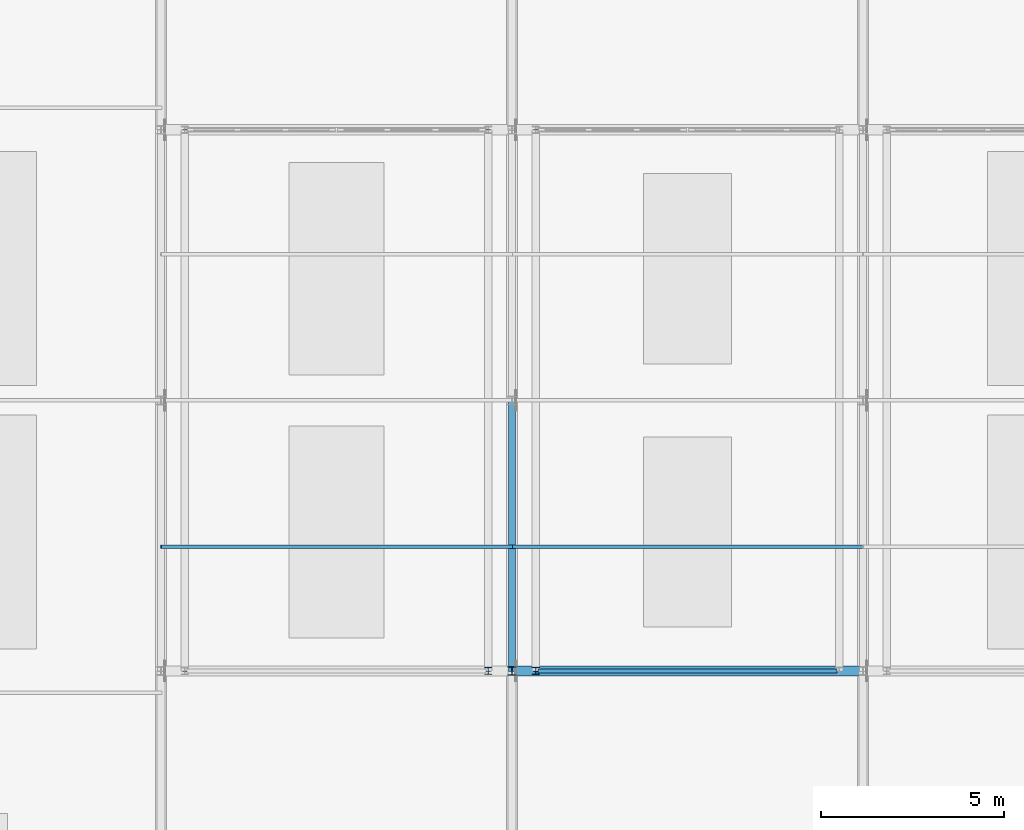
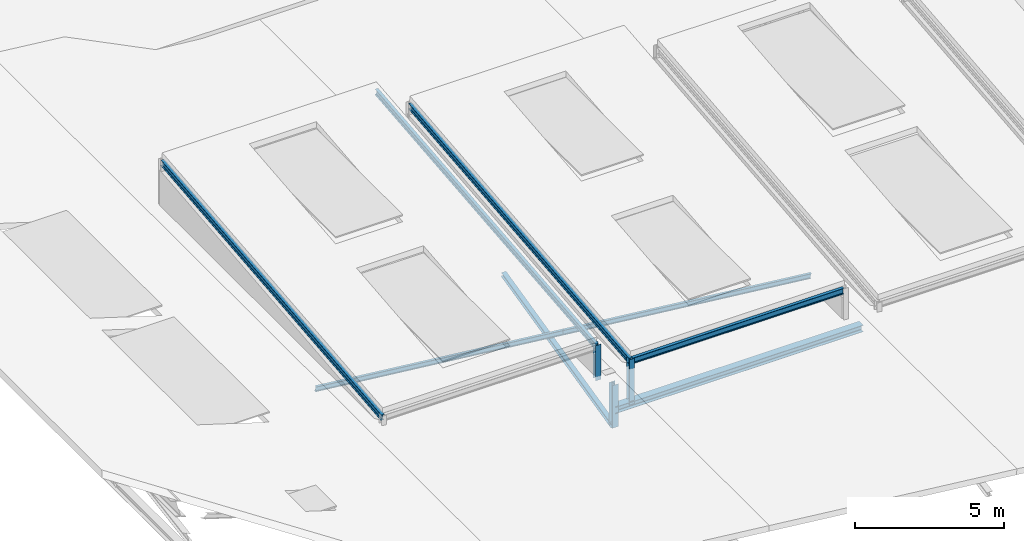
# One storey, part 3 of 30: 6 members, 5 beams.
"""IFC4 building model written with IfcOpenShell, lengths in metres."""

from ifc_helpers import new_model, si_unit, direction, frame, origin, origin_2d, place, context, subcontext, project, spatial, i_section, extrude, material, material_profile, profile_set, type_object, element, save


model = new_model("IFC4")

# Units and contexts
model_context = context("Model", 3, precision=1e-05, world=origin(), true_north=direction((0.0, 1.0)))
body_context = subcontext(model_context, "Body", "Model", "MODEL_VIEW")
ifc_project = project(units=[si_unit("LENGTHUNIT", "METRE"), si_unit("AREAUNIT", "SQUARE_METRE"), si_unit("VOLUMEUNIT", "CUBIC_METRE"), si_unit("PLANEANGLEUNIT", "RADIAN"), si_unit("MASSUNIT", "GRAM", prefix="KILO")], contexts=[model_context])

# Site, building, storey
site_placement = place(None, origin())
site = spatial("IfcSite", under=ifc_project, at=site_placement, CompositionType="ELEMENT")
building_placement = place(site_placement, origin())
building = spatial("IfcBuilding", under=site, at=building_placement, Name="Alderhovde Museum", CompositionType="ELEMENT")
storey_placement = place(building_placement, frame((0.0, 0.0, 30.699951171875)))
storey = spatial("IfcBuildingStorey", under=building, at=storey_placement, Name="RF", CompositionType="ELEMENT", Elevation=30.699951171875)

# Beams
ifc_material_1 = material(Name="Steel S355J2", Category="steel")
ifc_material_profile_1 = material_profile(ifc_material_1, i_section(OverallWidth=0.280029296875, OverallDepth=0.27001953125, WebThickness=0.008056640625, FlangeThickness=0.012939453125, FilletRadius=0.02392578125, at=origin_2d()), Name="HEA 280")
ifc_profile_set_1 = profile_set([ifc_material_profile_1], Name="Steel S355J2")
beam_type_1 = type_object("IfcBeamType", Name="BM-HEA280", PredefinedType="BEAM", material=ifc_profile_set_1)
beam_1_placement = place(storey_placement, frame((28.800048828125, 56.60009765625, -3.8466796875), z_axis=(1.0, 0.0, 0.0), x_axis=(0.0, 1.0, 0.0)))
element("IfcBeam", 1, at=beam_1_placement, inside=storey, type_object=beam_type_1, Name="Sawtooth Monitor Stringer Bay 3-S", PredefinedType="BEAM", context=body_context, shape_type="SweptSolid", body=[
    extrude(i_section(OverallWidth=0.280029296875, OverallDepth=0.27001953125, WebThickness=0.008056640625, FlangeThickness=0.012939453125, FilletRadius=0.02392578125, at=origin_2d()), origin(), (0.0, 0.0, 1.0), 9.599853515625),
])
ifc_material_2 = material(Name="Steel S355J2", Category="steel")
ifc_material_profile_2 = material_profile(ifc_material_2, i_section(OverallWidth=0.1201171875, OverallDepth=0.239990234375, WebThickness=0.006103515625, FlangeThickness=0.009765625, FilletRadius=0.014892578125, at=origin_2d()), Name="IPE 240")
ifc_profile_set_2 = profile_set([ifc_material_profile_2], Name="Steel S355J2")
beam_type_2 = type_object("IfcBeamType", Name="BM-IPE240", PredefinedType="BEAM", material=ifc_profile_set_2)
for number, where, z_axis, x_axis, name in (
    (2, (19.85009765625, 56.60009765625, -1.079833984375), (0.0, 0.99503719021, 0.099503719021), (-1.0, 0.0, 0.0), "Sawtooth Monitor Wedge Rafter Bay 2-W"),
    (3, (28.14990234375, 56.60009765625, -1.079833984375), (0.0, 0.99503719021, 0.099503719021), (-1.0, 0.0, 0.0), "Sawtooth Monitor Wedge Rafter Bay 2-E"),
):
    element("IfcBeam", number, at=place(storey_placement, frame(where, z_axis=z_axis, x_axis=x_axis)), inside=storey, type_object=beam_type_2, Name=name, PredefinedType="BEAM", context=body_context, shape_type="SweptSolid", body=[
        extrude(i_section(OverallWidth=0.1201171875, OverallDepth=0.239990234375, WebThickness=0.006103515625, FlangeThickness=0.009765625, FilletRadius=0.014892578125, at=origin_2d()), origin(), (0.0, 0.0, 1.0), 14.87353515625),
    ])
beam_2_placement = place(storey_placement, frame((29.510009765625, 56.60009765625, -2.1181640625), z_axis=(1.0, 0.0, 0.0), x_axis=(0.0, 1.0, 0.0)))
element("IfcBeam", 4, at=beam_2_placement, inside=storey, type_object=beam_type_2, Name="Sawtooth Monitor Wedge Rafter Bay 3-S", PredefinedType="BEAM", context=body_context, shape_type="SweptSolid", body=[
    extrude(i_section(OverallWidth=0.1201171875, OverallDepth=0.239990234375, WebThickness=0.006103515625, FlangeThickness=0.009765625, FilletRadius=0.014892578125, at=origin_2d()), origin(), (0.0, 0.0, 1.0), 8.179931640625),
])
beam_3_placement = place(storey_placement, frame((29.449951171875, 56.60009765625, -2.1181640625), z_axis=(0.0, 0.99503719021, 0.099503719021), x_axis=(-1.0, 0.0, 0.0)))
element("IfcBeam", 5, at=beam_3_placement, inside=storey, type_object=beam_type_2, Name="Sawtooth Monitor Wedge Rafter Bay 3-W", PredefinedType="BEAM", context=body_context, shape_type="SweptSolid", body=[
    extrude(i_section(OverallWidth=0.1201171875, OverallDepth=0.239990234375, WebThickness=0.006103515625, FlangeThickness=0.009765625, FilletRadius=0.014892578125, at=origin_2d()), origin(), (0.0, 0.0, 1.0), 14.87353515625),
])

# Members
ifc_material_3 = material(Name="Steel S355J2", Category="steel")
ifc_material_profile_3 = material_profile(ifc_material_3, i_section(OverallWidth=0.10009765625, OverallDepth=0.199951171875, WebThickness=0.005615234375, FlangeThickness=0.008544921875, FilletRadius=0.011962890625, at=origin_2d()), Name="IPE 200")
ifc_profile_set_3 = profile_set([ifc_material_profile_3], Name="Steel S355J2")
member_type_1 = type_object("IfcMemberType", Name="PRL-IPE200", PredefinedType="PURLIN", material=ifc_profile_set_3)
member_1_placement = place(storey_placement, frame((19.199951171875, 60.0, -1.739990234375), z_axis=(0.994201715794, 0.0, -0.107531150432), x_axis=(0.0, 1.0, 0.0)))
element("IfcMember", 6, at=member_1_placement, inside=storey, type_object=member_type_1, Name="Folded Wing Roof Purlin Bay 2 Y=60", PredefinedType="PURLIN", context=body_context, shape_type="SweptSolid", body=[
    extrude(i_section(OverallWidth=0.10009765625, OverallDepth=0.199951171875, WebThickness=0.005615234375, FlangeThickness=0.008544921875, FilletRadius=0.011962890625, at=origin_2d()), origin(), (0.0, 0.0, 1.0), 9.656005859375),
])
member_2_placement = place(storey_placement, frame((28.800048828125, 60.0, -2.7783203125), z_axis=(0.99420142343, 0.0, -0.107533853509), x_axis=(0.0, 1.0, 0.0)))
element("IfcMember", 7, at=member_2_placement, inside=storey, type_object=member_type_1, Name="Folded Wing Roof Purlin Bay 3 Y=60", PredefinedType="PURLIN", context=body_context, shape_type="SweptSolid", body=[
    extrude(i_section(OverallWidth=0.10009765625, OverallDepth=0.199951171875, WebThickness=0.005615234375, FlangeThickness=0.008544921875, FilletRadius=0.011962890625, at=origin_2d()), origin(), (0.0, 0.0, 1.0), 9.65576171875),
])
ifc_material_4 = material(Name="Steel S355J2", Category="steel")
ifc_material_profile_4 = material_profile(ifc_material_4, i_section(OverallWidth=0.179931640625, OverallDepth=0.1708984375, WebThickness=0.006103515625, FlangeThickness=0.009521484375, FilletRadius=0.014892578125, at=origin_2d()), Name="HEA 180")
ifc_profile_set_4 = profile_set([ifc_material_profile_4], Name="Steel S355J2")
member_type_2 = type_object("IfcMemberType", Name="TR-DG-HEA180", PredefinedType="RAFTER", material=ifc_profile_set_4)
member_3_placement = place(storey_placement, frame((28.800048828125, 56.60009765625, -4.558349609375), z_axis=(0.0, 0.973157163281, 0.230141555473), x_axis=(-1.0, 0.0, 0.0)))
element("IfcMember", 8, at=member_3_placement, inside=storey, type_object=member_type_2, Name="Sawtooth Roof Truss X=28.8 Web Diagonal 2", PredefinedType="RAFTER", context=body_context, shape_type="SweptSolid", body=[
    extrude(i_section(OverallWidth=0.179931640625, OverallDepth=0.1708984375, WebThickness=0.006103515625, FlangeThickness=0.009521484375, FilletRadius=0.014892578125, at=origin_2d()), origin(), (0.0, 0.0, 1.0), 7.60400390625),
])
ifc_material_5 = material(Name="Steel S355J2", Category="steel")
ifc_material_profile_5 = material_profile(ifc_material_5, i_section(OverallWidth=0.199951171875, OverallDepth=0.18994140625, WebThickness=0.006591796875, FlangeThickness=0.010009765625, FilletRadius=0.01806640625, at=origin_2d()), Name="HEA 200")
ifc_profile_set_5 = profile_set([ifc_material_profile_5], Name="Steel S355J2")
member_type_3 = type_object("IfcMemberType", Name="TR-PS-HEA200", PredefinedType="POST", material=ifc_profile_set_5)
member_4_placement = place(storey_placement, frame((28.14990234375, 56.60009765625, -2.39990234375), z_axis=(0.0, 0.0, 1.0), x_axis=(1.0, 0.0, 0.0)))
element("IfcMember", 9, at=member_4_placement, inside=storey, type_object=member_type_3, Name="Sawtooth Monitor Post Bay 2-2", PredefinedType="POST", context=body_context, shape_type="SweptSolid", body=[
    extrude(i_section(OverallWidth=0.199951171875, OverallDepth=0.18994140625, WebThickness=0.006591796875, FlangeThickness=0.010009765625, FilletRadius=0.01806640625, at=origin_2d()), origin(), (0.0, 0.0, 1.0), 1.43994140625),
])
member_5_placement = place(storey_placement, frame((29.449951171875, 56.60009765625, -3.8466796875), z_axis=(0.0, 0.0, 1.0), x_axis=(1.0, 0.0, 0.0)))
element("IfcMember", 10, at=member_5_placement, inside=storey, type_object=member_type_3, Name="Sawtooth Monitor Post Bay 3-1", PredefinedType="POST", context=body_context, shape_type="SweptSolid", body=[
    extrude(i_section(OverallWidth=0.199951171875, OverallDepth=0.18994140625, WebThickness=0.006591796875, FlangeThickness=0.010009765625, FilletRadius=0.01806640625, at=origin_2d()), origin(), (0.0, 0.0, 1.0), 1.848388671875),
])
ifc_material_6 = material(Name="Steel S355J2", Category="steel")
ifc_material_profile_6 = material_profile(ifc_material_6, i_section(OverallWidth=0.239990234375, OverallDepth=0.22998046875, WebThickness=0.007568359375, FlangeThickness=0.011962890625, FilletRadius=0.02099609375, at=origin_2d()), Name="HEA 240")
ifc_profile_set_6 = profile_set([ifc_material_profile_6], Name="Steel S355J2")
member_type_4 = type_object("IfcMemberType", Name="TR-PS-HEA240", PredefinedType="POST", material=ifc_profile_set_6)
member_6_placement = place(storey_placement, frame((28.800048828125, 56.60009765625, -4.558349609375), z_axis=(0.0, 0.0, 1.0), x_axis=(1.0, 0.0, 0.0)))
element("IfcMember", 11, at=member_6_placement, inside=storey, type_object=member_type_4, Name="Sawtooth Roof Truss X=28.8 Web Post 1", PredefinedType="POST", context=body_context, shape_type="SweptSolid", body=[
    extrude(i_section(OverallWidth=0.239990234375, OverallDepth=0.22998046875, WebThickness=0.007568359375, FlangeThickness=0.011962890625, FilletRadius=0.02099609375, at=origin_2d()), origin(), (0.0, 0.0, 1.0), 1.75),
])

save(model, "model.ifc")
